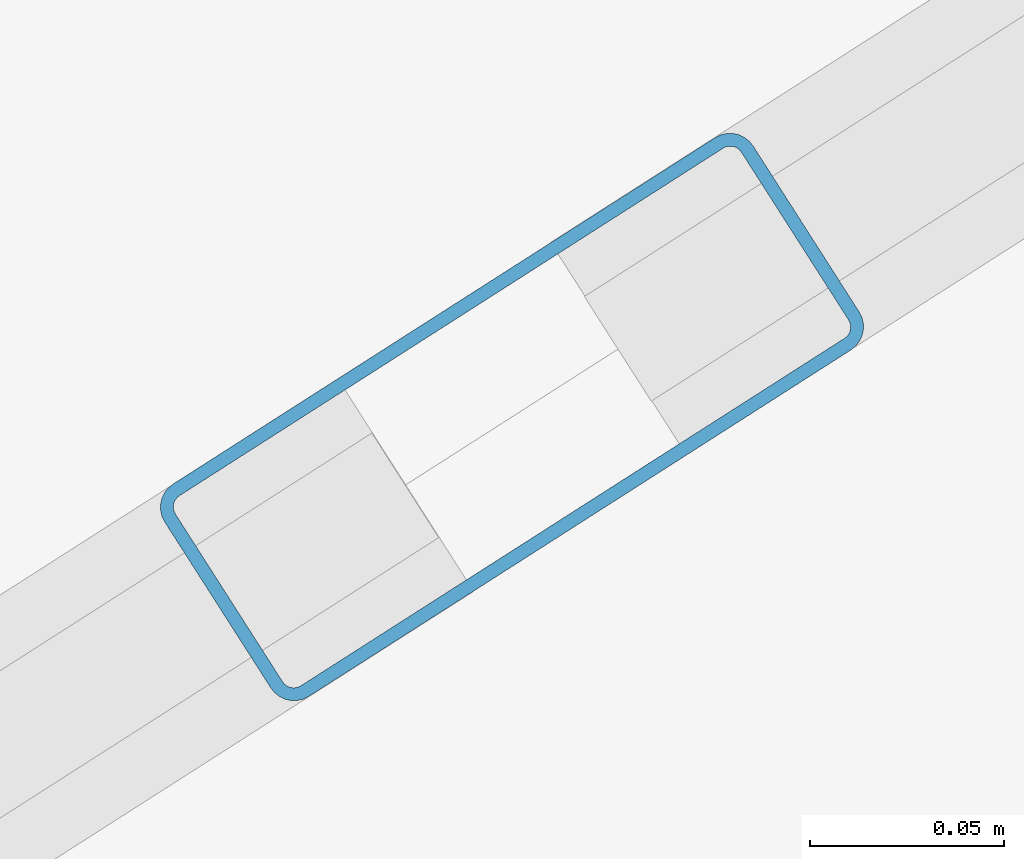
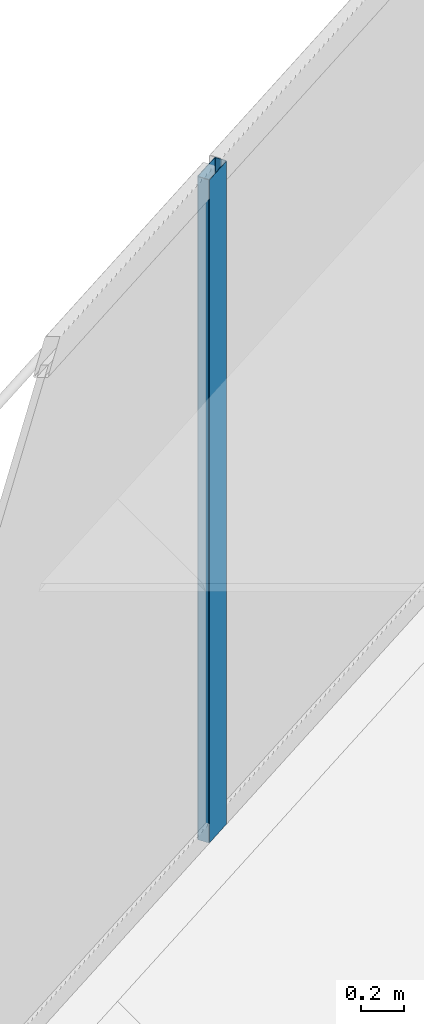
# One storey, part 14 of 35: 1 member, 1 element without a shape of its own.
"""IFC4 building model written with IfcOpenShell, lengths in metres."""

from ifc_helpers import new_model, si_unit, direction, frame, origin, origin_2d, place, context, subcontext, project, spatial, hollow_rectangle, extrude, material, layer, layer_set, material_profile, profile_set, type_object, element, aggregate, save


model = new_model("IFC4")

# Units and contexts
model_context = context("Model", 3, precision=1e-05, world=origin(), true_north=direction((0.0, 1.0)))
body_context = subcontext(model_context, "Body", "Model", "MODEL_VIEW")
ifc_project = project(units=[si_unit("LENGTHUNIT", "METRE"), si_unit("AREAUNIT", "SQUARE_METRE"), si_unit("VOLUMEUNIT", "CUBIC_METRE"), si_unit("PLANEANGLEUNIT", "RADIAN"), si_unit("MASSUNIT", "GRAM", prefix="KILO")], contexts=[model_context])

# Site, building, storey
site_placement = place(None, origin())
site = spatial("IfcSite", under=ifc_project, at=site_placement, CompositionType="ELEMENT")
building_placement = place(site_placement, origin())
building = spatial("IfcBuilding", under=site, at=building_placement, Name="Qorvath Tower", CompositionType="ELEMENT")
storey_placement = place(building_placement, frame((0.0, 0.0, 130.050048828125)))
storey = spatial("IfcBuildingStorey", under=building, at=storey_placement, Name="L29", CompositionType="ELEMENT", Elevation=130.050048828125)

# Curtain wall, member
ifc_material_1 = material(Name="Anodised aluminium and triple low-E glass", Category="aluminium")
ifc_layer = layer(ifc_material_1, 0.179931640625)
ifc_layer_set = layer_set([ifc_layer], Name="CW-SYS-2")
curtain_wall_type = type_object("IfcCurtainWallType", Name="CW-SYS-2", PredefinedType="NOTDEFINED", material=ifc_layer_set)
curtain_wall_placement = place(storey_placement, origin())
curtain_wall = element("IfcCurtainWall", 1, at=curtain_wall_placement, inside=storey, type_object=curtain_wall_type, Name="Curtain Wall CW-2 CW-T-L29-16.3", PredefinedType="NOTDEFINED")
ifc_material_2 = material(Name="Anodised aluminium 6063-T6", Category="aluminium")
ifc_material_profile = material_profile(ifc_material_2, hollow_rectangle(XDim=0.06494140625, YDim=0.179931640625, WallThickness=0.00341796875, InnerFilletRadius=0.00341796875, OuterFilletRadius=0.007080078125, at=origin_2d()), Name="CWM 180x65")
ifc_profile_set = profile_set([ifc_material_profile], Name="Anodised aluminium 6063-T6")
member_type = type_object("IfcMemberType", Name="CWM-180", PredefinedType="MULLION", material=ifc_profile_set)
member_placement = place(storey_placement, frame((-39.60107421875, 15.537109375, 0.0), z_axis=(0.0, 0.0, 1.0), x_axis=(0.538534177075, -0.842603667285, 0.0)))
member = element("IfcMember", 2, at=member_placement, type_object=member_type, Name="CW-2 mullion 2", PredefinedType="MULLION", context=body_context, shape_type="SweptSolid", body=[
    extrude(hollow_rectangle(XDim=0.06494140625, YDim=0.179931640625, WallThickness=0.00341796875, InnerFilletRadius=0.00341796875, OuterFilletRadius=0.007080078125, at=origin_2d()), origin(), (0.0, 0.0, 1.0), 3.780029296875),
])
aggregate(curtain_wall, [member])

save(model, "model.ifc")
